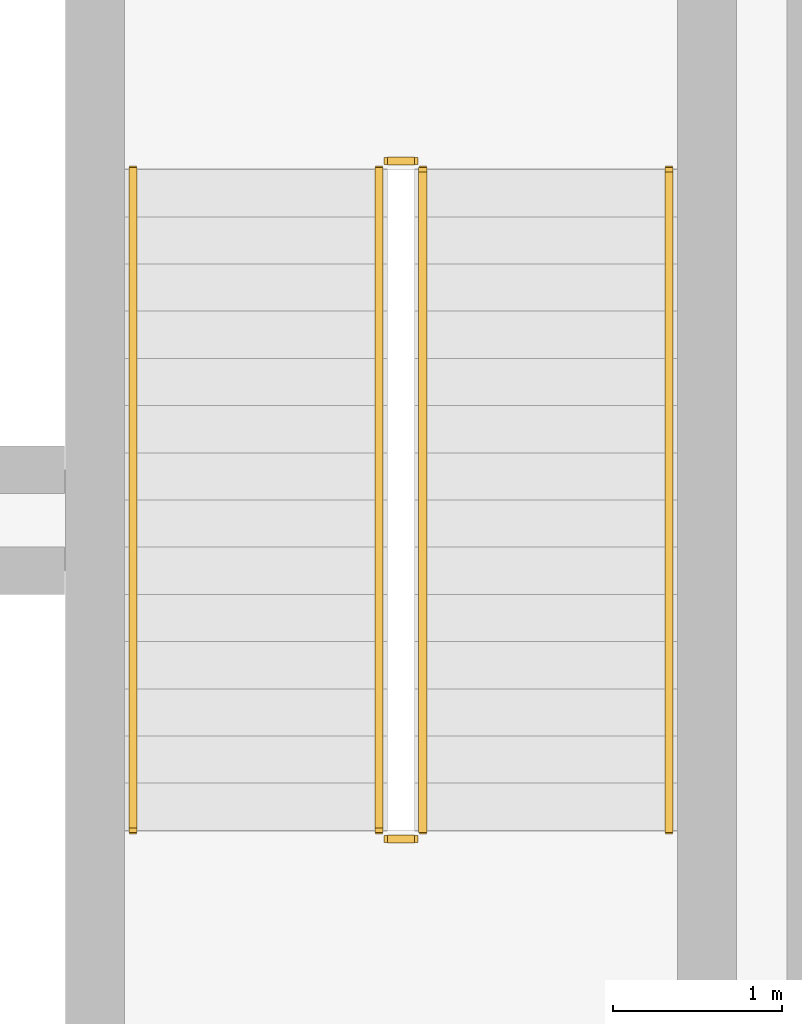
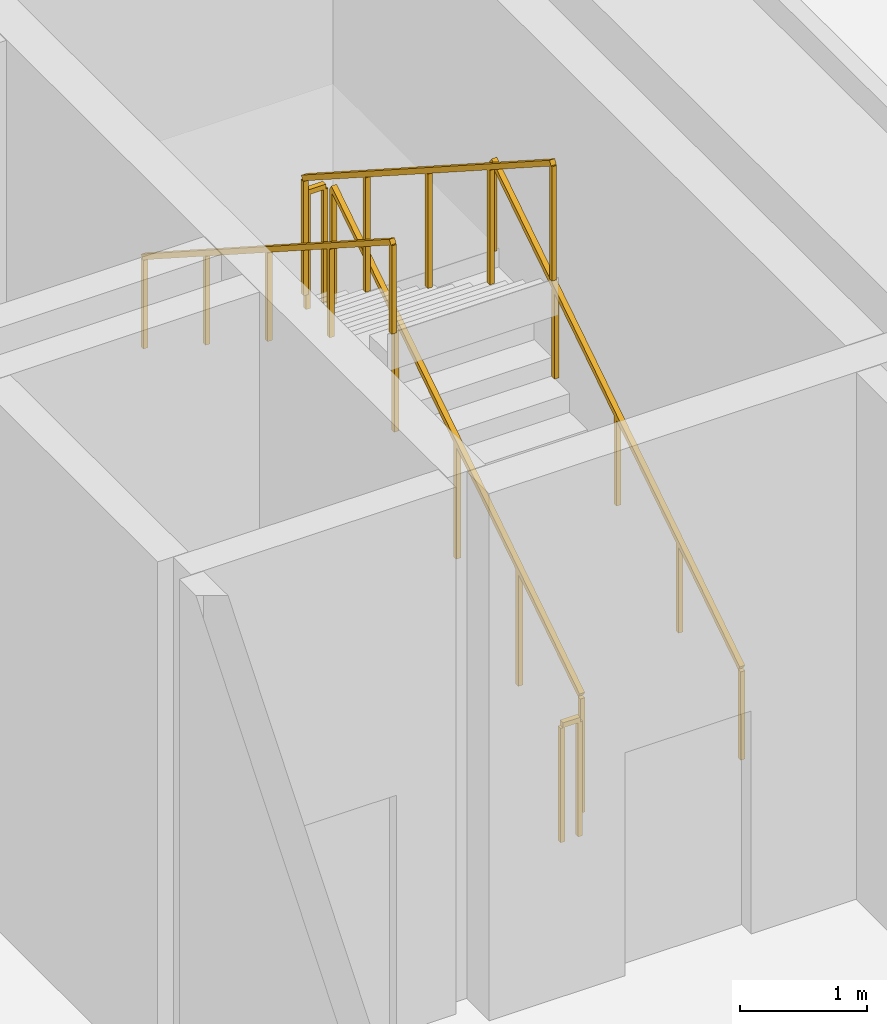
# One storey, part 25 of 25: 6 railings.
"""IFC4 building model written with IfcOpenShell, lengths in metres."""

from ifc_helpers import new_model, si_unit, direction, frame, origin, origin_2d, place, context, subcontext, project, spatial, rectangle, extrude, material, type_object, element, save


model = new_model("IFC4")

# Units and contexts
model_context = context("Model", 3, precision=1e-05, world=origin(), true_north=direction((0.0, 1.0)))
body_context = subcontext(model_context, "Body", "Model", "MODEL_VIEW")
ifc_project = project(units=[si_unit("LENGTHUNIT", "METRE"), si_unit("AREAUNIT", "SQUARE_METRE"), si_unit("VOLUMEUNIT", "CUBIC_METRE"), si_unit("PLANEANGLEUNIT", "RADIAN"), si_unit("MASSUNIT", "GRAM", prefix="KILO")], contexts=[model_context])

# Site, building, storey
site_placement = place(None, origin())
site = spatial("IfcSite", under=ifc_project, at=site_placement, CompositionType="ELEMENT")
building_placement = place(site_placement, origin())
building = spatial("IfcBuilding", under=site, at=building_placement, Name="Kaelvorn Grand Hotel", CompositionType="ELEMENT")
storey_placement = place(building_placement, frame((0.0, 0.0, 14.0)))
storey = spatial("IfcBuildingStorey", under=building, at=storey_placement, Name="L02", CompositionType="ELEMENT", Elevation=14.0)

# Railings
ifc_material = material(Name="Stainless Steel", Category="steel")
railing_type_1 = type_object("IfcRailingType", Name="RL-HANDRAIL-900", PredefinedType="HANDRAIL", material=ifc_material)
railing_1_placement = place(storey_placement, frame((66.550048828125, 41.760009765625, 0.179931640625)))
element("IfcRailing", 1, at=railing_1_placement, inside=storey, type_object=railing_type_1, Name="L02 ST3 stair handrail 1", PredefinedType="HANDRAIL", context=body_context, shape_type="SweptSolid", body=[
    extrude(rectangle(XDim=0.048095703125, YDim=0.048095703125, at=origin_2d()), frame((0.0, 0.0, 0.8759765625), z_axis=(0.0, 0.841171666519, 0.540768182723), x_axis=(-1.0, 0.0, 0.0)), (0.0, 0.0, 1.0), 4.66015625),
    extrude(rectangle(XDim=0.0419921875, YDim=0.0419921875, at=origin_2d()), origin(), (0.0, 0.0, 1.0), 0.851806640625),
    extrude(rectangle(XDim=0.0419921875, YDim=0.0419921875, at=origin_2d()), frame((0.0, 0.97998046875, 0.6298828125)), (0.0, 0.0, 1.0), 0.851806640625),
    extrude(rectangle(XDim=0.0419921875, YDim=0.0419921875, at=origin_2d()), frame((0.0, 1.9599609375, 1.260009765625)), (0.0, 0.0, 1.0), 0.851806640625),
    extrude(rectangle(XDim=0.0419921875, YDim=0.0419921875, at=origin_2d()), frame((0.0, 2.93994140625, 1.89013671875)), (0.0, 0.0, 1.0), 0.851806640625),
    extrude(rectangle(XDim=0.0419921875, YDim=0.0419921875, at=origin_2d()), frame((0.0, 3.919921875, 2.52001953125)), (0.0, 0.0, 1.0), 0.851806640625),
])
railing_2_placement = place(storey_placement, frame((63.3701171875, 45.679931640625, 2.8798828125)))
element("IfcRailing", 2, at=railing_2_placement, inside=storey, type_object=railing_type_1, Name="L02 ST3 stair handrail 2", PredefinedType="HANDRAIL", context=body_context, shape_type="SweptSolid", body=[
    extrude(rectangle(XDim=0.048095703125, YDim=0.048095703125, at=origin_2d()), frame((0.0, 0.0, 0.8759765625), z_axis=(0.0, -0.841171666519, 0.540768182723), x_axis=(1.0, 0.0, 0.0)), (0.0, 0.0, 1.0), 4.66015625),
    extrude(rectangle(XDim=0.0419921875, YDim=0.0419921875, at=origin_2d()), origin(), (0.0, 0.0, 1.0), 0.851806640625),
    extrude(rectangle(XDim=0.0419921875, YDim=0.0419921875, at=origin_2d()), frame((0.0, -0.97998046875, 0.6298828125)), (0.0, 0.0, 1.0), 0.851806640625),
    extrude(rectangle(XDim=0.0419921875, YDim=0.0419921875, at=origin_2d()), frame((0.0, -1.9599609375, 1.260009765625)), (0.0, 0.0, 1.0), 0.851806640625),
    extrude(rectangle(XDim=0.0419921875, YDim=0.0419921875, at=origin_2d()), frame((0.0, -2.93994140625, 1.89013671875)), (0.0, 0.0, 1.0), 0.851806640625),
    extrude(rectangle(XDim=0.0419921875, YDim=0.0419921875, at=origin_2d()), frame((0.0, -3.919921875, 2.52001953125)), (0.0, 0.0, 1.0), 0.851806640625),
])
railing_type_2 = type_object("IfcRailingType", Name="RL-STAIR-GUARD-1150", PredefinedType="BALUSTRADE", material=ifc_material)
railing_3_placement = place(storey_placement, frame((65.090087890625, 41.760009765625, 0.179931640625)))
element("IfcRailing", 3, at=railing_3_placement, inside=storey, type_object=railing_type_2, Name="L02 ST3 stair guard 1", PredefinedType="BALUSTRADE", context=body_context, shape_type="SweptSolid", body=[
    extrude(rectangle(XDim=0.048095703125, YDim=0.048095703125, at=origin_2d()), frame((0.0, 0.0, 1.1259765625), z_axis=(0.0, 0.841171666519, 0.540768182723), x_axis=(-1.0, 0.0, 0.0)), (0.0, 0.0, 1.0), 4.66015625),
    extrude(rectangle(XDim=0.0419921875, YDim=0.0419921875, at=origin_2d()), origin(), (0.0, 0.0, 1.0), 1.101806640625),
    extrude(rectangle(XDim=0.0419921875, YDim=0.0419921875, at=origin_2d()), frame((0.0, 0.97998046875, 0.6298828125)), (0.0, 0.0, 1.0), 1.101806640625),
    extrude(rectangle(XDim=0.0419921875, YDim=0.0419921875, at=origin_2d()), frame((0.0, 1.9599609375, 1.260009765625)), (0.0, 0.0, 1.0), 1.101806640625),
    extrude(rectangle(XDim=0.0419921875, YDim=0.0419921875, at=origin_2d()), frame((0.0, 2.93994140625, 1.89013671875)), (0.0, 0.0, 1.0), 1.101806640625),
    extrude(rectangle(XDim=0.0419921875, YDim=0.0419921875, at=origin_2d()), frame((0.0, 3.919921875, 2.52001953125)), (0.0, 0.0, 1.0), 1.101806640625),
])
railing_4_placement = place(storey_placement, frame((65.0400390625, 45.72998046875, 2.699951171875)))
element("IfcRailing", 4, at=railing_4_placement, inside=storey, type_object=railing_type_2, Name="L02 ST3 stair guard 2", PredefinedType="BALUSTRADE", context=body_context, shape_type="SweptSolid", body=[
    extrude(rectangle(XDim=0.048095703125, YDim=0.048095703125, at=origin_2d()), frame((0.0, 0.0, 1.1259765625), z_axis=(-1.0, 0.0, 0.0), x_axis=(0.0, -1.0, 0.0)), (0.0, 0.0, 1.0), 0.16015625),
    extrude(rectangle(XDim=0.0419921875, YDim=0.0419921875, at=origin_2d()), origin(), (0.0, 0.0, 1.0), 1.101806640625),
    extrude(rectangle(XDim=0.0419921875, YDim=0.0419921875, at=origin_2d()), frame((-0.16015625, 0.0, 0.0)), (0.0, 0.0, 1.0), 1.101806640625),
])
railing_5_placement = place(storey_placement, frame((64.830078125, 45.679931640625, 2.8798828125)))
element("IfcRailing", 5, at=railing_5_placement, inside=storey, type_object=railing_type_2, Name="L02 ST3 stair guard 3", PredefinedType="BALUSTRADE", context=body_context, shape_type="SweptSolid", body=[
    extrude(rectangle(XDim=0.048095703125, YDim=0.048095703125, at=origin_2d()), frame((0.0, 0.0, 1.1259765625), z_axis=(0.0, -0.841171666519, 0.540768182723), x_axis=(1.0, 0.0, 0.0)), (0.0, 0.0, 1.0), 4.66015625),
    extrude(rectangle(XDim=0.0419921875, YDim=0.0419921875, at=origin_2d()), origin(), (0.0, 0.0, 1.0), 1.101806640625),
    extrude(rectangle(XDim=0.0419921875, YDim=0.0419921875, at=origin_2d()), frame((0.0, -0.97998046875, 0.6298828125)), (0.0, 0.0, 1.0), 1.101806640625),
    extrude(rectangle(XDim=0.0419921875, YDim=0.0419921875, at=origin_2d()), frame((0.0, -1.9599609375, 1.260009765625)), (0.0, 0.0, 1.0), 1.101806640625),
    extrude(rectangle(XDim=0.0419921875, YDim=0.0419921875, at=origin_2d()), frame((0.0, -2.93994140625, 1.89013671875)), (0.0, 0.0, 1.0), 1.101806640625),
    extrude(rectangle(XDim=0.0419921875, YDim=0.0419921875, at=origin_2d()), frame((0.0, -3.919921875, 2.52001953125)), (0.0, 0.0, 1.0), 1.101806640625),
])
railing_6_placement = place(storey_placement, frame((65.0400390625, 41.7099609375, 0.0)))
element("IfcRailing", 6, at=railing_6_placement, inside=storey, type_object=railing_type_2, Name="L02 ST3 stair guard 4", PredefinedType="BALUSTRADE", context=body_context, shape_type="SweptSolid", body=[
    extrude(rectangle(XDim=0.048095703125, YDim=0.048095703125, at=origin_2d()), frame((0.0, 0.0, 1.1259765625), z_axis=(-1.0, 0.0, 0.0), x_axis=(0.0, -1.0, 0.0)), (0.0, 0.0, 1.0), 0.16015625),
    extrude(rectangle(XDim=0.0419921875, YDim=0.0419921875, at=origin_2d()), origin(), (0.0, 0.0, 1.0), 1.101806640625),
    extrude(rectangle(XDim=0.0419921875, YDim=0.0419921875, at=origin_2d()), frame((-0.16015625, 0.0, 0.0)), (0.0, 0.0, 1.0), 1.101806640625),
])

save(model, "model.ifc")
